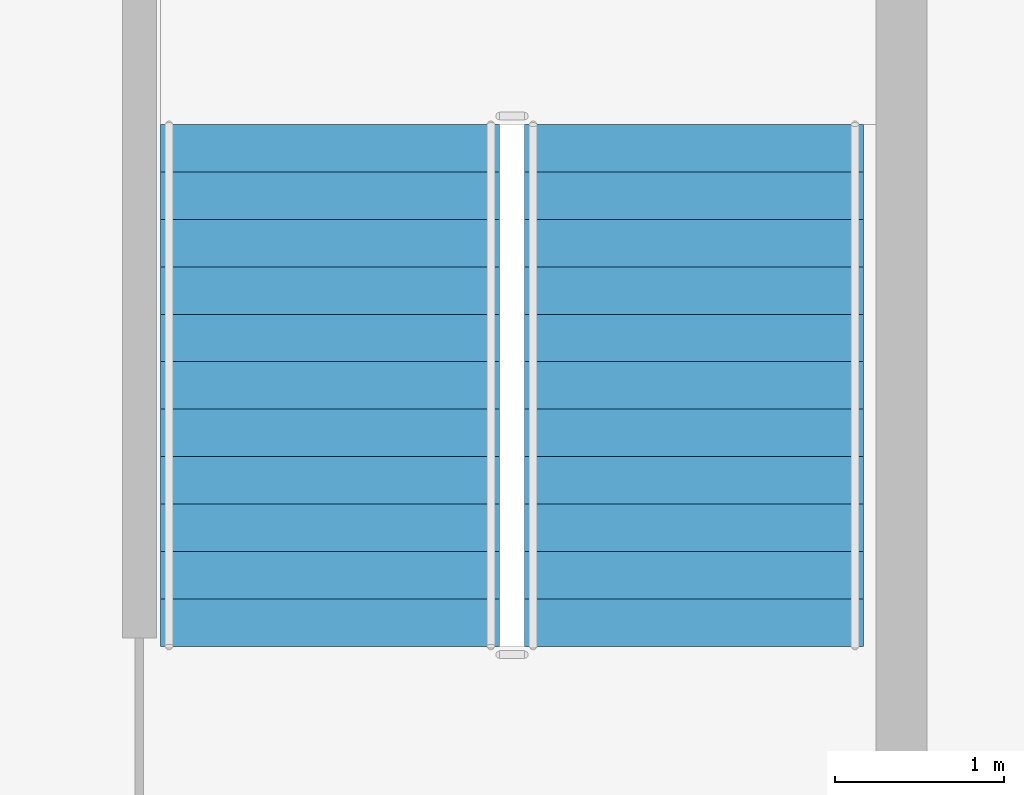
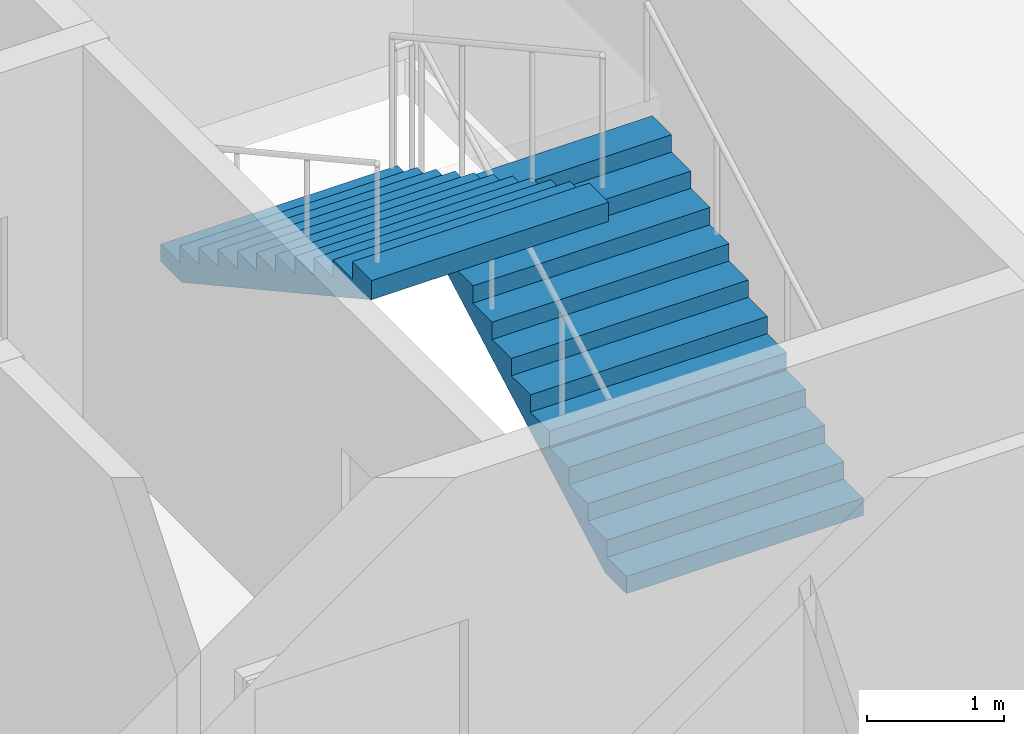
# One storey, part 10 of 12: 2 stair flights, 1 element without a shape of its own.
"""IFC4 building model written with IfcOpenShell, lengths in metres."""

from ifc_helpers import new_model, si_unit, direction, frame, origin, place, context, subcontext, project, spatial, polygons, material, type_object, element, aggregate, save


model = new_model("IFC4")

# Units and contexts
model_context = context("Model", 3, precision=1e-05, world=origin(), true_north=direction((0.0, 1.0)))
body_context = subcontext(model_context, "Body", "Model", "MODEL_VIEW")
ifc_project = project(units=[si_unit("LENGTHUNIT", "METRE"), si_unit("AREAUNIT", "SQUARE_METRE"), si_unit("VOLUMEUNIT", "CUBIC_METRE"), si_unit("PLANEANGLEUNIT", "RADIAN"), si_unit("MASSUNIT", "GRAM", prefix="KILO")], contexts=[model_context])

# Site, building, storey
site_placement = place(None, origin())
site = spatial("IfcSite", under=ifc_project, at=site_placement, CompositionType="ELEMENT")
building_placement = place(site_placement, origin())
building = spatial("IfcBuilding", under=site, at=building_placement, Name="Caravel Reach Hotel and Residences", CompositionType="ELEMENT")
storey_placement = place(building_placement, frame((0.0, 0.0, 214.60009765625)))
storey = spatial("IfcBuildingStorey", under=building, at=storey_placement, Name="L54", CompositionType="ELEMENT", Elevation=214.60009765625)

# Stair, stair flights
ifc_material_1 = material(Name="Concrete C40", Category="concrete")
stair_type = type_object("IfcStairType", Name="Core stair", PredefinedType="HALF_TURN_STAIR", material=ifc_material_1)
stair_placement = place(storey_placement, origin())
stair = element("IfcStair", 1, at=stair_placement, inside=storey, type_object=stair_type, Name="L54 Exit stair B", PredefinedType="HALF_TURN_STAIR")
ifc_material_2 = material(Name="Concrete C40", Category="concrete")
stair_flight_type = type_object("IfcStairFlightType", Name="Core stair flight", PredefinedType="STRAIGHT", material=ifc_material_2)
stair_flight_1_placement = place(storey_placement, frame((43.77490234375, 24.64990234375, 0.0), z_axis=(0.0, 0.0, 1.0), x_axis=(0.0, 1.0, 0.0)))
stair_flight_1 = element("IfcStairFlight", 2, at=stair_flight_1_placement, type_object=stair_flight_type, Name="ST-B flight 1", NumberOfRisers=12, NumberOfTreads=11, PredefinedType="STRAIGHT", RiserHeight=0.154166667, TreadLength=0.28, context=body_context, shape_type="Tessellation", body=[
    polygons([(0.3107950034306102, 1.0, 0.0), (0.3107950034306102, 0.6666666666666667, 0.0), (0.3107950034306102, 0.33333333333333337, 0.0), (0.3107950034306102, 0.0, 0.0), (0.3107950034306102, -0.33333333333333326, 0.0), (0.3107950034306102, -0.6666666666666667, 0.0), (0.3107950034306102, -1.0, 0.0), (3.081, 1.0, 1.524711087717319), (3.081, 0.6666666666666667, 1.524711087717319), (3.081, 0.33333333333333337, 1.524711087717319), (3.081, 0.0, 1.524711087717319), (3.081, -0.33333333333333326, 1.524711087717319), (3.081, -0.6666666666666667, 1.524711087717319), (3.081, -1.0, 1.524711087717319), (3.081, 1.0, 1.695833337), (3.081, 0.6666666666666667, 1.695833337), (3.081, 0.33333333333333337, 1.695833337), (3.081, 0.0, 1.695833337), (3.081, -0.33333333333333326, 1.695833337), (3.081, -0.6666666666666667, 1.695833337), (3.081, -1.0, 1.695833337), (2.8000000000000003, 1.0, 1.695833337), (2.8000000000000003, 0.6666666666666667, 1.695833337), (2.8000000000000003, 0.33333333333333337, 1.695833337), (2.8000000000000003, 0.0, 1.695833337), (2.8000000000000003, -0.33333333333333326, 1.695833337), (2.8000000000000003, -0.6666666666666667, 1.695833337), (2.8000000000000003, -1.0, 1.695833337), (2.8000000000000003, 1.0, 1.5416666700000001), (2.8000000000000003, 0.6666666666666667, 1.5416666700000001), (2.8000000000000003, 0.33333333333333337, 1.5416666700000001), (2.8000000000000003, 0.0, 1.5416666700000001), (2.8000000000000003, -0.33333333333333326, 1.5416666700000001), (2.8000000000000003, -0.6666666666666667, 1.5416666700000001), (2.8000000000000003, -1.0, 1.5416666700000001), (2.5200000000000005, 1.0, 1.5416666700000001), (2.5200000000000005, 0.6666666666666667, 1.5416666700000001), (2.5200000000000005, 0.33333333333333337, 1.5416666700000001), (2.5200000000000005, 0.0, 1.5416666700000001), (2.5200000000000005, -0.33333333333333326, 1.5416666700000001), (2.5200000000000005, -0.6666666666666667, 1.5416666700000001), (2.5200000000000005, -1.0, 1.5416666700000001), (2.5200000000000005, 1.0, 1.387500003), (2.5200000000000005, 0.6666666666666667, 1.387500003), (2.5200000000000005, 0.33333333333333337, 1.387500003), (2.5200000000000005, 0.0, 1.387500003), (2.5200000000000005, -0.33333333333333326, 1.387500003), (2.5200000000000005, -0.6666666666666667, 1.387500003), (2.5200000000000005, -1.0, 1.387500003), (2.24, 1.0, 1.387500003), (2.24, 0.6666666666666667, 1.387500003), (2.24, 0.33333333333333337, 1.387500003), (2.24, 0.0, 1.387500003), (2.24, -0.33333333333333326, 1.387500003), (2.24, -0.6666666666666667, 1.387500003), (2.24, -1.0, 1.387500003), (2.24, 1.0, 1.233333336), (2.24, 0.6666666666666667, 1.233333336), (2.24, 0.33333333333333337, 1.233333336), (2.24, 0.0, 1.233333336), (2.24, -0.33333333333333326, 1.233333336), (2.24, -0.6666666666666667, 1.233333336), (2.24, -1.0, 1.233333336), (1.9600000000000002, 1.0, 1.233333336), (1.9600000000000002, 0.6666666666666667, 1.233333336), (1.9600000000000002, 0.33333333333333337, 1.233333336), (1.9600000000000002, 0.0, 1.233333336), (1.9600000000000002, -0.33333333333333326, 1.233333336), (1.9600000000000002, -0.6666666666666667, 1.233333336), (1.9600000000000002, -1.0, 1.233333336), (1.9600000000000002, 1.0, 1.0791666690000001), (1.9600000000000002, 0.6666666666666667, 1.0791666690000001), (1.9600000000000002, 0.33333333333333337, 1.0791666690000001), (1.9600000000000002, 0.0, 1.0791666690000001), (1.9600000000000002, -0.33333333333333326, 1.0791666690000001), (1.9600000000000002, -0.6666666666666667, 1.0791666690000001), (1.9600000000000002, -1.0, 1.0791666690000001), (1.6800000000000002, 1.0, 1.0791666690000001), (1.6800000000000002, 0.6666666666666667, 1.0791666690000001), (1.6800000000000002, 0.33333333333333337, 1.0791666690000001), (1.6800000000000002, 0.0, 1.0791666690000001), (1.6800000000000002, -0.33333333333333326, 1.0791666690000001), (1.6800000000000002, -0.6666666666666667, 1.0791666690000001), (1.6800000000000002, -1.0, 1.0791666690000001), (1.6800000000000002, 1.0, 0.925000002), (1.6800000000000002, 0.6666666666666667, 0.925000002), (1.6800000000000002, 0.33333333333333337, 0.925000002), (1.6800000000000002, 0.0, 0.925000002), (1.6800000000000002, -0.33333333333333326, 0.925000002), (1.6800000000000002, -0.6666666666666667, 0.925000002), (1.6800000000000002, -1.0, 0.925000002), (1.4000000000000001, 1.0, 0.925000002), (1.4000000000000001, 0.6666666666666667, 0.925000002), (1.4000000000000001, 0.33333333333333337, 0.925000002), (1.4000000000000001, 0.0, 0.925000002), (1.4000000000000001, -0.33333333333333326, 0.925000002), (1.4000000000000001, -0.6666666666666667, 0.925000002), (1.4000000000000001, -1.0, 0.925000002), (1.4000000000000001, 1.0, 0.7708333350000001), (1.4000000000000001, 0.6666666666666667, 0.7708333350000001), (1.4000000000000001, 0.33333333333333337, 0.7708333350000001), (1.4000000000000001, 0.0, 0.7708333350000001), (1.4000000000000001, -0.33333333333333326, 0.7708333350000001), (1.4000000000000001, -0.6666666666666667, 0.7708333350000001), (1.4000000000000001, -1.0, 0.7708333350000001), (1.12, 1.0, 0.7708333350000001), (1.12, 0.6666666666666667, 0.7708333350000001), (1.12, 0.33333333333333337, 0.7708333350000001), (1.12, 0.0, 0.7708333350000001), (1.12, -0.33333333333333326, 0.7708333350000001), (1.12, -0.6666666666666667, 0.7708333350000001), (1.12, -1.0, 0.7708333350000001), (1.12, 1.0, 0.616666668), (1.12, 0.6666666666666667, 0.616666668), (1.12, 0.33333333333333337, 0.616666668), (1.12, 0.0, 0.616666668), (1.12, -0.33333333333333326, 0.616666668), (1.12, -0.6666666666666667, 0.616666668), (1.12, -1.0, 0.616666668), (0.8400000000000001, 1.0, 0.616666668), (0.8400000000000001, 0.6666666666666667, 0.616666668), (0.8400000000000001, 0.33333333333333337, 0.616666668), (0.8400000000000001, 0.0, 0.616666668), (0.8400000000000001, -0.33333333333333326, 0.616666668), (0.8400000000000001, -0.6666666666666667, 0.616666668), (0.8400000000000001, -1.0, 0.616666668), (0.8400000000000001, 1.0, 0.462500001), (0.8400000000000001, 0.6666666666666667, 0.462500001), (0.8400000000000001, 0.33333333333333337, 0.462500001), (0.8400000000000001, 0.0, 0.462500001), (0.8400000000000001, -0.33333333333333326, 0.462500001), (0.8400000000000001, -0.6666666666666667, 0.462500001), (0.8400000000000001, -1.0, 0.462500001), (0.56, 1.0, 0.462500001), (0.56, 0.6666666666666667, 0.462500001), (0.56, 0.33333333333333337, 0.462500001), (0.56, 0.0, 0.462500001), (0.56, -0.33333333333333326, 0.462500001), (0.56, -0.6666666666666667, 0.462500001), (0.56, -1.0, 0.462500001), (0.56, 1.0, 0.308333334), (0.56, 0.6666666666666667, 0.308333334), (0.56, 0.33333333333333337, 0.308333334), (0.56, 0.0, 0.308333334), (0.56, -0.33333333333333326, 0.308333334), (0.56, -0.6666666666666667, 0.308333334), (0.56, -1.0, 0.308333334), (0.28, 1.0, 0.308333334), (0.28, 0.6666666666666667, 0.308333334), (0.28, 0.33333333333333337, 0.308333334), (0.28, 0.0, 0.308333334), (0.28, -0.33333333333333326, 0.308333334), (0.28, -0.6666666666666667, 0.308333334), (0.28, -1.0, 0.308333334), (0.28, 1.0, 0.154166667), (0.28, 0.6666666666666667, 0.154166667), (0.28, 0.33333333333333337, 0.154166667), (0.28, 0.0, 0.154166667), (0.28, -0.33333333333333326, 0.154166667), (0.28, -0.6666666666666667, 0.154166667), (0.28, -1.0, 0.154166667), (-0.001, 1.0, 0.154166667), (-0.001, 0.6666666666666667, 0.154166667), (-0.001, 0.33333333333333337, 0.154166667), (-0.001, 0.0, 0.154166667), (-0.001, -0.33333333333333326, 0.154166667), (-0.001, -0.6666666666666667, 0.154166667), (-0.001, -1.0, 0.154166667), (-0.001, 1.0, 0.0), (-0.001, 0.6666666666666667, 0.0), (-0.001, 0.33333333333333337, 0.0), (-0.001, 0.0, 0.0), (-0.001, -0.33333333333333326, 0.0), (-0.001, -0.6666666666666667, 0.0), (-0.001, -1.0, 0.0)], [[[169, 162, 155, 148, 141, 134, 127, 120, 113, 106, 99, 92, 85, 78, 71, 64, 57, 50, 43, 36, 29, 22, 15, 8, 1]], [[7, 14, 21, 28, 35, 42, 49, 56, 63, 70, 77, 84, 91, 98, 105, 112, 119, 126, 133, 140, 147, 154, 161, 168, 175]], [[1, 8, 9, 2]], [[2, 9, 10, 3]], [[3, 10, 11, 4]], [[4, 11, 12, 5]], [[5, 12, 13, 6]], [[6, 13, 14, 7]], [[8, 15, 16, 9]], [[9, 16, 17, 10]], [[10, 17, 18, 11]], [[11, 18, 19, 12]], [[12, 19, 20, 13]], [[13, 20, 21, 14]], [[15, 22, 23, 16]], [[16, 23, 24, 17]], [[17, 24, 25, 18]], [[18, 25, 26, 19]], [[19, 26, 27, 20]], [[20, 27, 28, 21]], [[22, 29, 30, 23]], [[23, 30, 31, 24]], [[24, 31, 32, 25]], [[25, 32, 33, 26]], [[26, 33, 34, 27]], [[27, 34, 35, 28]], [[29, 36, 37, 30]], [[30, 37, 38, 31]], [[31, 38, 39, 32]], [[32, 39, 40, 33]], [[33, 40, 41, 34]], [[34, 41, 42, 35]], [[36, 43, 44, 37]], [[37, 44, 45, 38]], [[38, 45, 46, 39]], [[39, 46, 47, 40]], [[40, 47, 48, 41]], [[41, 48, 49, 42]], [[43, 50, 51, 44]], [[44, 51, 52, 45]], [[45, 52, 53, 46]], [[46, 53, 54, 47]], [[47, 54, 55, 48]], [[48, 55, 56, 49]], [[50, 57, 58, 51]], [[51, 58, 59, 52]], [[52, 59, 60, 53]], [[53, 60, 61, 54]], [[54, 61, 62, 55]], [[55, 62, 63, 56]], [[57, 64, 65, 58]], [[58, 65, 66, 59]], [[59, 66, 67, 60]], [[60, 67, 68, 61]], [[61, 68, 69, 62]], [[62, 69, 70, 63]], [[64, 71, 72, 65]], [[65, 72, 73, 66]], [[66, 73, 74, 67]], [[67, 74, 75, 68]], [[68, 75, 76, 69]], [[69, 76, 77, 70]], [[71, 78, 79, 72]], [[72, 79, 80, 73]], [[73, 80, 81, 74]], [[74, 81, 82, 75]], [[75, 82, 83, 76]], [[76, 83, 84, 77]], [[78, 85, 86, 79]], [[79, 86, 87, 80]], [[80, 87, 88, 81]], [[81, 88, 89, 82]], [[82, 89, 90, 83]], [[83, 90, 91, 84]], [[85, 92, 93, 86]], [[86, 93, 94, 87]], [[87, 94, 95, 88]], [[88, 95, 96, 89]], [[89, 96, 97, 90]], [[90, 97, 98, 91]], [[92, 99, 100, 93]], [[93, 100, 101, 94]], [[94, 101, 102, 95]], [[95, 102, 103, 96]], [[96, 103, 104, 97]], [[97, 104, 105, 98]], [[99, 106, 107, 100]], [[100, 107, 108, 101]], [[101, 108, 109, 102]], [[102, 109, 110, 103]], [[103, 110, 111, 104]], [[104, 111, 112, 105]], [[106, 113, 114, 107]], [[107, 114, 115, 108]], [[108, 115, 116, 109]], [[109, 116, 117, 110]], [[110, 117, 118, 111]], [[111, 118, 119, 112]], [[113, 120, 121, 114]], [[114, 121, 122, 115]], [[115, 122, 123, 116]], [[116, 123, 124, 117]], [[117, 124, 125, 118]], [[118, 125, 126, 119]], [[120, 127, 128, 121]], [[121, 128, 129, 122]], [[122, 129, 130, 123]], [[123, 130, 131, 124]], [[124, 131, 132, 125]], [[125, 132, 133, 126]], [[127, 134, 135, 128]], [[128, 135, 136, 129]], [[129, 136, 137, 130]], [[130, 137, 138, 131]], [[131, 138, 139, 132]], [[132, 139, 140, 133]], [[134, 141, 142, 135]], [[135, 142, 143, 136]], [[136, 143, 144, 137]], [[137, 144, 145, 138]], [[138, 145, 146, 139]], [[139, 146, 147, 140]], [[141, 148, 149, 142]], [[142, 149, 150, 143]], [[143, 150, 151, 144]], [[144, 151, 152, 145]], [[145, 152, 153, 146]], [[146, 153, 154, 147]], [[148, 155, 156, 149]], [[149, 156, 157, 150]], [[150, 157, 158, 151]], [[151, 158, 159, 152]], [[152, 159, 160, 153]], [[153, 160, 161, 154]], [[155, 162, 163, 156]], [[156, 163, 164, 157]], [[157, 164, 165, 158]], [[158, 165, 166, 159]], [[159, 166, 167, 160]], [[160, 167, 168, 161]], [[162, 169, 170, 163]], [[163, 170, 171, 164]], [[164, 171, 172, 165]], [[165, 172, 173, 166]], [[166, 173, 174, 167]], [[167, 174, 175, 168]], [[169, 1, 2, 170]], [[170, 2, 3, 171]], [[171, 3, 4, 172]], [[172, 4, 5, 173]], [[173, 5, 6, 174]], [[174, 6, 7, 175]]], closed=True),
])
stair_flight_2_placement = place(storey_placement, frame((41.625, 27.72998046875, 1.849853515625), z_axis=(0.0, 0.0, 1.0), x_axis=(0.0, -1.0, 0.0)))
stair_flight_2 = element("IfcStairFlight", 3, at=stair_flight_2_placement, type_object=stair_flight_type, Name="ST-B flight 2", NumberOfRisers=12, NumberOfTreads=11, PredefinedType="STRAIGHT", RiserHeight=0.154166667, TreadLength=0.28, context=body_context, shape_type="Tessellation", body=[
    polygons([(0.3107950034306102, 1.0, 0.0), (0.3107950034306102, 0.6666666666666667, 0.0), (0.3107950034306102, 0.33333333333333337, 0.0), (0.3107950034306102, 0.0, 0.0), (0.3107950034306102, -0.33333333333333326, 0.0), (0.3107950034306102, -0.6666666666666667, 0.0), (0.3107950034306102, -1.0, 0.0), (3.081, 1.0, 1.524711087717319), (3.081, 0.6666666666666667, 1.524711087717319), (3.081, 0.33333333333333337, 1.524711087717319), (3.081, 0.0, 1.524711087717319), (3.081, -0.33333333333333326, 1.524711087717319), (3.081, -0.6666666666666667, 1.524711087717319), (3.081, -1.0, 1.524711087717319), (3.081, 1.0, 1.695833337), (3.081, 0.6666666666666667, 1.695833337), (3.081, 0.33333333333333337, 1.695833337), (3.081, 0.0, 1.695833337), (3.081, -0.33333333333333326, 1.695833337), (3.081, -0.6666666666666667, 1.695833337), (3.081, -1.0, 1.695833337), (2.8000000000000003, 1.0, 1.695833337), (2.8000000000000003, 0.6666666666666667, 1.695833337), (2.8000000000000003, 0.33333333333333337, 1.695833337), (2.8000000000000003, 0.0, 1.695833337), (2.8000000000000003, -0.33333333333333326, 1.695833337), (2.8000000000000003, -0.6666666666666667, 1.695833337), (2.8000000000000003, -1.0, 1.695833337), (2.8000000000000003, 1.0, 1.5416666700000001), (2.8000000000000003, 0.6666666666666667, 1.5416666700000001), (2.8000000000000003, 0.33333333333333337, 1.5416666700000001), (2.8000000000000003, 0.0, 1.5416666700000001), (2.8000000000000003, -0.33333333333333326, 1.5416666700000001), (2.8000000000000003, -0.6666666666666667, 1.5416666700000001), (2.8000000000000003, -1.0, 1.5416666700000001), (2.5200000000000005, 1.0, 1.5416666700000001), (2.5200000000000005, 0.6666666666666667, 1.5416666700000001), (2.5200000000000005, 0.33333333333333337, 1.5416666700000001), (2.5200000000000005, 0.0, 1.5416666700000001), (2.5200000000000005, -0.33333333333333326, 1.5416666700000001), (2.5200000000000005, -0.6666666666666667, 1.5416666700000001), (2.5200000000000005, -1.0, 1.5416666700000001), (2.5200000000000005, 1.0, 1.387500003), (2.5200000000000005, 0.6666666666666667, 1.387500003), (2.5200000000000005, 0.33333333333333337, 1.387500003), (2.5200000000000005, 0.0, 1.387500003), (2.5200000000000005, -0.33333333333333326, 1.387500003), (2.5200000000000005, -0.6666666666666667, 1.387500003), (2.5200000000000005, -1.0, 1.387500003), (2.24, 1.0, 1.387500003), (2.24, 0.6666666666666667, 1.387500003), (2.24, 0.33333333333333337, 1.387500003), (2.24, 0.0, 1.387500003), (2.24, -0.33333333333333326, 1.387500003), (2.24, -0.6666666666666667, 1.387500003), (2.24, -1.0, 1.387500003), (2.24, 1.0, 1.233333336), (2.24, 0.6666666666666667, 1.233333336), (2.24, 0.33333333333333337, 1.233333336), (2.24, 0.0, 1.233333336), (2.24, -0.33333333333333326, 1.233333336), (2.24, -0.6666666666666667, 1.233333336), (2.24, -1.0, 1.233333336), (1.9600000000000002, 1.0, 1.233333336), (1.9600000000000002, 0.6666666666666667, 1.233333336), (1.9600000000000002, 0.33333333333333337, 1.233333336), (1.9600000000000002, 0.0, 1.233333336), (1.9600000000000002, -0.33333333333333326, 1.233333336), (1.9600000000000002, -0.6666666666666667, 1.233333336), (1.9600000000000002, -1.0, 1.233333336), (1.9600000000000002, 1.0, 1.0791666690000001), (1.9600000000000002, 0.6666666666666667, 1.0791666690000001), (1.9600000000000002, 0.33333333333333337, 1.0791666690000001), (1.9600000000000002, 0.0, 1.0791666690000001), (1.9600000000000002, -0.33333333333333326, 1.0791666690000001), (1.9600000000000002, -0.6666666666666667, 1.0791666690000001), (1.9600000000000002, -1.0, 1.0791666690000001), (1.6800000000000002, 1.0, 1.0791666690000001), (1.6800000000000002, 0.6666666666666667, 1.0791666690000001), (1.6800000000000002, 0.33333333333333337, 1.0791666690000001), (1.6800000000000002, 0.0, 1.0791666690000001), (1.6800000000000002, -0.33333333333333326, 1.0791666690000001), (1.6800000000000002, -0.6666666666666667, 1.0791666690000001), (1.6800000000000002, -1.0, 1.0791666690000001), (1.6800000000000002, 1.0, 0.925000002), (1.6800000000000002, 0.6666666666666667, 0.925000002), (1.6800000000000002, 0.33333333333333337, 0.925000002), (1.6800000000000002, 0.0, 0.925000002), (1.6800000000000002, -0.33333333333333326, 0.925000002), (1.6800000000000002, -0.6666666666666667, 0.925000002), (1.6800000000000002, -1.0, 0.925000002), (1.4000000000000001, 1.0, 0.925000002), (1.4000000000000001, 0.6666666666666667, 0.925000002), (1.4000000000000001, 0.33333333333333337, 0.925000002), (1.4000000000000001, 0.0, 0.925000002), (1.4000000000000001, -0.33333333333333326, 0.925000002), (1.4000000000000001, -0.6666666666666667, 0.925000002), (1.4000000000000001, -1.0, 0.925000002), (1.4000000000000001, 1.0, 0.7708333350000001), (1.4000000000000001, 0.6666666666666667, 0.7708333350000001), (1.4000000000000001, 0.33333333333333337, 0.7708333350000001), (1.4000000000000001, 0.0, 0.7708333350000001), (1.4000000000000001, -0.33333333333333326, 0.7708333350000001), (1.4000000000000001, -0.6666666666666667, 0.7708333350000001), (1.4000000000000001, -1.0, 0.7708333350000001), (1.12, 1.0, 0.7708333350000001), (1.12, 0.6666666666666667, 0.7708333350000001), (1.12, 0.33333333333333337, 0.7708333350000001), (1.12, 0.0, 0.7708333350000001), (1.12, -0.33333333333333326, 0.7708333350000001), (1.12, -0.6666666666666667, 0.7708333350000001), (1.12, -1.0, 0.7708333350000001), (1.12, 1.0, 0.616666668), (1.12, 0.6666666666666667, 0.616666668), (1.12, 0.33333333333333337, 0.616666668), (1.12, 0.0, 0.616666668), (1.12, -0.33333333333333326, 0.616666668), (1.12, -0.6666666666666667, 0.616666668), (1.12, -1.0, 0.616666668), (0.8400000000000001, 1.0, 0.616666668), (0.8400000000000001, 0.6666666666666667, 0.616666668), (0.8400000000000001, 0.33333333333333337, 0.616666668), (0.8400000000000001, 0.0, 0.616666668), (0.8400000000000001, -0.33333333333333326, 0.616666668), (0.8400000000000001, -0.6666666666666667, 0.616666668), (0.8400000000000001, -1.0, 0.616666668), (0.8400000000000001, 1.0, 0.462500001), (0.8400000000000001, 0.6666666666666667, 0.462500001), (0.8400000000000001, 0.33333333333333337, 0.462500001), (0.8400000000000001, 0.0, 0.462500001), (0.8400000000000001, -0.33333333333333326, 0.462500001), (0.8400000000000001, -0.6666666666666667, 0.462500001), (0.8400000000000001, -1.0, 0.462500001), (0.56, 1.0, 0.462500001), (0.56, 0.6666666666666667, 0.462500001), (0.56, 0.33333333333333337, 0.462500001), (0.56, 0.0, 0.462500001), (0.56, -0.33333333333333326, 0.462500001), (0.56, -0.6666666666666667, 0.462500001), (0.56, -1.0, 0.462500001), (0.56, 1.0, 0.308333334), (0.56, 0.6666666666666667, 0.308333334), (0.56, 0.33333333333333337, 0.308333334), (0.56, 0.0, 0.308333334), (0.56, -0.33333333333333326, 0.308333334), (0.56, -0.6666666666666667, 0.308333334), (0.56, -1.0, 0.308333334), (0.28, 1.0, 0.308333334), (0.28, 0.6666666666666667, 0.308333334), (0.28, 0.33333333333333337, 0.308333334), (0.28, 0.0, 0.308333334), (0.28, -0.33333333333333326, 0.308333334), (0.28, -0.6666666666666667, 0.308333334), (0.28, -1.0, 0.308333334), (0.28, 1.0, 0.154166667), (0.28, 0.6666666666666667, 0.154166667), (0.28, 0.33333333333333337, 0.154166667), (0.28, 0.0, 0.154166667), (0.28, -0.33333333333333326, 0.154166667), (0.28, -0.6666666666666667, 0.154166667), (0.28, -1.0, 0.154166667), (-0.001, 1.0, 0.154166667), (-0.001, 0.6666666666666667, 0.154166667), (-0.001, 0.33333333333333337, 0.154166667), (-0.001, 0.0, 0.154166667), (-0.001, -0.33333333333333326, 0.154166667), (-0.001, -0.6666666666666667, 0.154166667), (-0.001, -1.0, 0.154166667), (-0.001, 1.0, 0.0), (-0.001, 0.6666666666666667, 0.0), (-0.001, 0.33333333333333337, 0.0), (-0.001, 0.0, 0.0), (-0.001, -0.33333333333333326, 0.0), (-0.001, -0.6666666666666667, 0.0), (-0.001, -1.0, 0.0)], [[[169, 162, 155, 148, 141, 134, 127, 120, 113, 106, 99, 92, 85, 78, 71, 64, 57, 50, 43, 36, 29, 22, 15, 8, 1]], [[7, 14, 21, 28, 35, 42, 49, 56, 63, 70, 77, 84, 91, 98, 105, 112, 119, 126, 133, 140, 147, 154, 161, 168, 175]], [[1, 8, 9, 2]], [[2, 9, 10, 3]], [[3, 10, 11, 4]], [[4, 11, 12, 5]], [[5, 12, 13, 6]], [[6, 13, 14, 7]], [[8, 15, 16, 9]], [[9, 16, 17, 10]], [[10, 17, 18, 11]], [[11, 18, 19, 12]], [[12, 19, 20, 13]], [[13, 20, 21, 14]], [[15, 22, 23, 16]], [[16, 23, 24, 17]], [[17, 24, 25, 18]], [[18, 25, 26, 19]], [[19, 26, 27, 20]], [[20, 27, 28, 21]], [[22, 29, 30, 23]], [[23, 30, 31, 24]], [[24, 31, 32, 25]], [[25, 32, 33, 26]], [[26, 33, 34, 27]], [[27, 34, 35, 28]], [[29, 36, 37, 30]], [[30, 37, 38, 31]], [[31, 38, 39, 32]], [[32, 39, 40, 33]], [[33, 40, 41, 34]], [[34, 41, 42, 35]], [[36, 43, 44, 37]], [[37, 44, 45, 38]], [[38, 45, 46, 39]], [[39, 46, 47, 40]], [[40, 47, 48, 41]], [[41, 48, 49, 42]], [[43, 50, 51, 44]], [[44, 51, 52, 45]], [[45, 52, 53, 46]], [[46, 53, 54, 47]], [[47, 54, 55, 48]], [[48, 55, 56, 49]], [[50, 57, 58, 51]], [[51, 58, 59, 52]], [[52, 59, 60, 53]], [[53, 60, 61, 54]], [[54, 61, 62, 55]], [[55, 62, 63, 56]], [[57, 64, 65, 58]], [[58, 65, 66, 59]], [[59, 66, 67, 60]], [[60, 67, 68, 61]], [[61, 68, 69, 62]], [[62, 69, 70, 63]], [[64, 71, 72, 65]], [[65, 72, 73, 66]], [[66, 73, 74, 67]], [[67, 74, 75, 68]], [[68, 75, 76, 69]], [[69, 76, 77, 70]], [[71, 78, 79, 72]], [[72, 79, 80, 73]], [[73, 80, 81, 74]], [[74, 81, 82, 75]], [[75, 82, 83, 76]], [[76, 83, 84, 77]], [[78, 85, 86, 79]], [[79, 86, 87, 80]], [[80, 87, 88, 81]], [[81, 88, 89, 82]], [[82, 89, 90, 83]], [[83, 90, 91, 84]], [[85, 92, 93, 86]], [[86, 93, 94, 87]], [[87, 94, 95, 88]], [[88, 95, 96, 89]], [[89, 96, 97, 90]], [[90, 97, 98, 91]], [[92, 99, 100, 93]], [[93, 100, 101, 94]], [[94, 101, 102, 95]], [[95, 102, 103, 96]], [[96, 103, 104, 97]], [[97, 104, 105, 98]], [[99, 106, 107, 100]], [[100, 107, 108, 101]], [[101, 108, 109, 102]], [[102, 109, 110, 103]], [[103, 110, 111, 104]], [[104, 111, 112, 105]], [[106, 113, 114, 107]], [[107, 114, 115, 108]], [[108, 115, 116, 109]], [[109, 116, 117, 110]], [[110, 117, 118, 111]], [[111, 118, 119, 112]], [[113, 120, 121, 114]], [[114, 121, 122, 115]], [[115, 122, 123, 116]], [[116, 123, 124, 117]], [[117, 124, 125, 118]], [[118, 125, 126, 119]], [[120, 127, 128, 121]], [[121, 128, 129, 122]], [[122, 129, 130, 123]], [[123, 130, 131, 124]], [[124, 131, 132, 125]], [[125, 132, 133, 126]], [[127, 134, 135, 128]], [[128, 135, 136, 129]], [[129, 136, 137, 130]], [[130, 137, 138, 131]], [[131, 138, 139, 132]], [[132, 139, 140, 133]], [[134, 141, 142, 135]], [[135, 142, 143, 136]], [[136, 143, 144, 137]], [[137, 144, 145, 138]], [[138, 145, 146, 139]], [[139, 146, 147, 140]], [[141, 148, 149, 142]], [[142, 149, 150, 143]], [[143, 150, 151, 144]], [[144, 151, 152, 145]], [[145, 152, 153, 146]], [[146, 153, 154, 147]], [[148, 155, 156, 149]], [[149, 156, 157, 150]], [[150, 157, 158, 151]], [[151, 158, 159, 152]], [[152, 159, 160, 153]], [[153, 160, 161, 154]], [[155, 162, 163, 156]], [[156, 163, 164, 157]], [[157, 164, 165, 158]], [[158, 165, 166, 159]], [[159, 166, 167, 160]], [[160, 167, 168, 161]], [[162, 169, 170, 163]], [[163, 170, 171, 164]], [[164, 171, 172, 165]], [[165, 172, 173, 166]], [[166, 173, 174, 167]], [[167, 174, 175, 168]], [[169, 1, 2, 170]], [[170, 2, 3, 171]], [[171, 3, 4, 172]], [[172, 4, 5, 173]], [[173, 5, 6, 174]], [[174, 6, 7, 175]]], closed=True),
])
aggregate(stair, [stair_flight_1, stair_flight_2])

save(model, "model.ifc")
